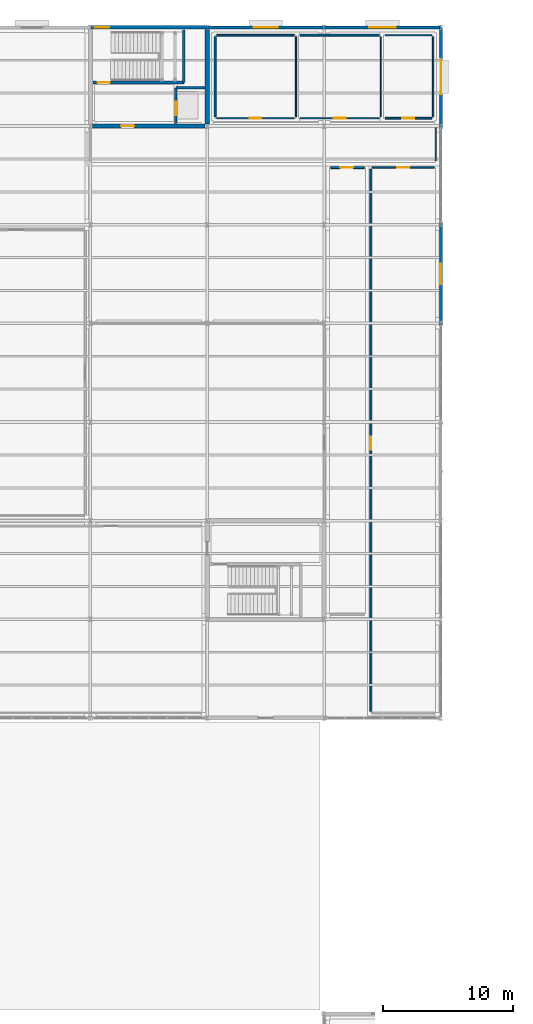
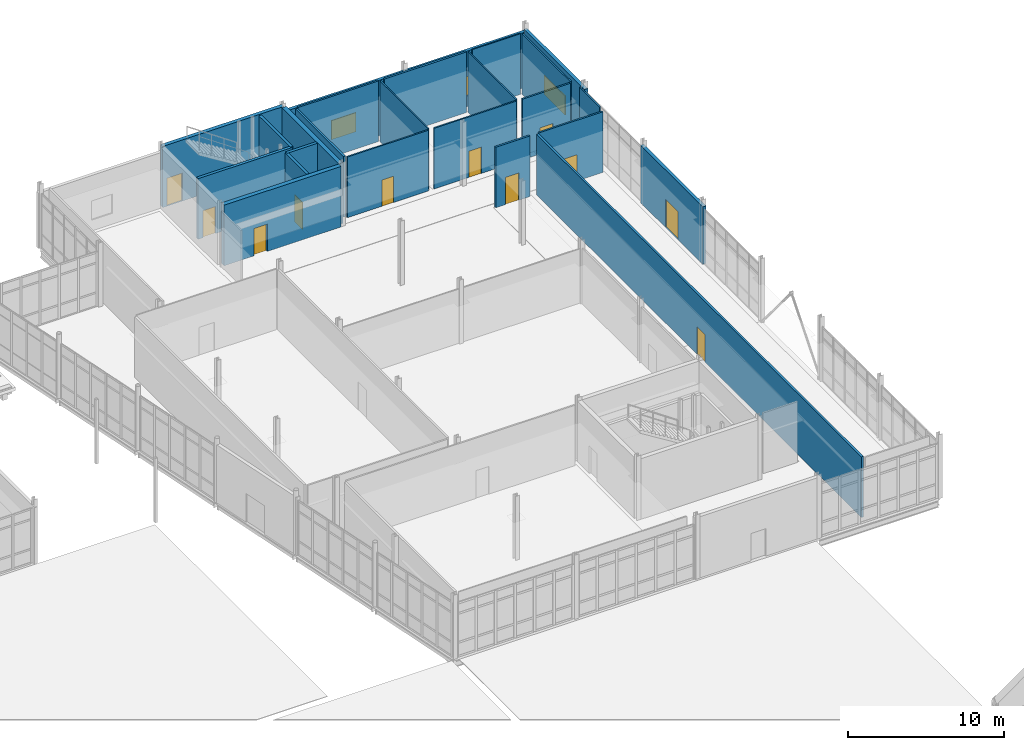
# One storey, part 150 of 161: 25 walls, 11 doors, 3 windows, 14 openings.
"""IFC4 building model written with IfcOpenShell, lengths in metres."""

import ifcopenshell
import ifcopenshell.guid

model = None  # the IFC model being written
_history = None  # IfcOwnerHistory: only IFC2X3 demands one
_inside = {}  # id of a spatial element -> (the spatial element, [elements in it])
_under = {}  # id of a project, library or spatial element -> (it, [spatial elements below it])
_declared = {}  # id of a project -> (the project, [libraries it declares])
_typed = {}  # id of a type object -> (the type object, [elements of that type])
_made_of = {}  # id of a material, layer set ... -> (it, [elements and type objects made of it])


def new_model(schema):
    """Start an empty IFC model of exactly this schema.

    Asked for "IFC4X3", IfcOpenShell would pick the latest addendum, in which some entities
    have other attributes; the version numbers below select the first issue.
    IFC2X3 requires an IfcOwnerHistory on every rooted entity: one is made here for all.
    """
    global model, _history
    if schema == "IFC4X3":
        model = ifcopenshell.file(schema_version=(4, 3, 0, 0))
    else:
        model = ifcopenshell.file(schema=schema)
    _inside.clear()
    _under.clear()
    _declared.clear()
    _typed.clear()
    _made_of.clear()
    _history = None
    if model.schema == "IFC2X3":
        org = make("IfcOrganization", Name="unknown")
        user = make(
            "IfcPersonAndOrganization",
            ThePerson=make("IfcPerson", FamilyName="unknown"),
            TheOrganization=org,
        )
        app = make(
            "IfcApplication",
            ApplicationDeveloper=org,
            Version="unknown",
            ApplicationFullName="unknown",
            ApplicationIdentifier="unknown",
        )
        _history = make(
            "IfcOwnerHistory",
            OwningUser=user,
            OwningApplication=app,
            ChangeAction="ADDED",
            CreationDate=0,
        )
    return model


def make(cls, **values):
    """One entity of the class cls with the attributes given. An attribute that is None is left unset."""
    return model.create_entity(
        cls, **{name: value for name, value in values.items() if value is not None}
    )


def rooted(cls, **values):
    """An entity with a GlobalId (a new one), such as an element, a storey or a relation."""
    return make(cls, GlobalId=ifcopenshell.guid.new(), OwnerHistory=_history, **values)


def si_unit(unit_type, name, prefix=None):
    """IfcSIUnit, for example si_unit("LENGTHUNIT", "METRE", prefix="MILLI")."""
    return make("IfcSIUnit", UnitType=unit_type, Prefix=prefix, Name=name)


def assignment(units):
    """IfcUnitAssignment: the units of a project."""
    return None if units is None else make("IfcUnitAssignment", Units=units)


def point(xyz):
    """IfcCartesianPoint."""
    return None if xyz is None else make("IfcCartesianPoint", Coordinates=xyz)


def direction(xyz):
    """IfcDirection."""
    return None if xyz is None else make("IfcDirection", DirectionRatios=xyz)


def frame(location, z_axis=None, x_axis=None):
    """IfcAxis2Placement3D, a coordinate frame: its origin and axes. An axis left out is left unset."""
    return make(
        "IfcAxis2Placement3D",
        Location=point(location),
        Axis=direction(z_axis),
        RefDirection=direction(x_axis),
    )


def frame_2d(location, x_axis=None):
    """IfcAxis2Placement2D, a coordinate frame in the plane: its origin and x axis."""
    return make(
        "IfcAxis2Placement2D", Location=point(location), RefDirection=direction(x_axis)
    )


def origin():
    """The frame at (0, 0, 0) with its axes left unset."""
    return frame((0.0, 0.0, 0.0))


def place(relative_to, where):
    """IfcLocalPlacement: puts the frame where relative to a parent placement (None: the world)."""
    return make(
        "IfcLocalPlacement", PlacementRelTo=relative_to, RelativePlacement=where
    )


def context(
    kind, dimensions, precision=None, world=None, true_north=None, identifier=None
):
    """IfcGeometricRepresentationContext, for example the 3D "Model" context."""
    return make(
        "IfcGeometricRepresentationContext",
        ContextIdentifier=identifier,
        ContextType=kind,
        CoordinateSpaceDimension=dimensions,
        Precision=precision,
        WorldCoordinateSystem=world,
        TrueNorth=true_north,
    )


def subcontext(parent, identifier, kind, view, scale=None):
    """IfcGeometricRepresentationSubContext, for example "Body" below "Model"."""
    return make(
        "IfcGeometricRepresentationSubContext",
        ContextIdentifier=identifier,
        ContextType=kind,
        ParentContext=parent,
        TargetScale=scale,
        TargetView=view,
    )


def project(units=None, contexts=None):
    """IfcProject with its units and contexts."""
    return rooted(
        "IfcProject",
        Name="project",
        RepresentationContexts=contexts,
        UnitsInContext=assignment(units),
    )


def spatial(cls, under=None, at=None, **own):
    """A site, building, storey or space (cls), placed at a placement, below another one or the project."""
    s = rooted(cls, ObjectPlacement=at, **own)
    if under is not None:
        _under.setdefault(under.id(), (under, []))[1].append(s)
    return s


def profile(cls, at=None, kind="AREA", **sizes):
    """A parametric profile (cls). Its sizes go by their IFC names, for example OverallWidth=200.0."""
    return make(cls, ProfileType=kind, Position=at, **sizes)


def rectangle(**sizes):
    """IfcRectangleProfileDef."""
    return profile("IfcRectangleProfileDef", **sizes)


def extrude(swept, where, along, depth):
    """IfcExtrudedAreaSolid: the profile swept, set in the frame where, extruded along a direction by depth."""
    return make(
        "IfcExtrudedAreaSolid",
        SweptArea=swept,
        Position=where,
        ExtrudedDirection=direction(along),
        Depth=depth,
    )


def shape(context_of_items, identifier, shape_type, items):
    """IfcShapeRepresentation: the items that make up one representation, for example the "Body"."""
    return make(
        "IfcShapeRepresentation",
        ContextOfItems=context_of_items,
        RepresentationIdentifier=identifier,
        RepresentationType=shape_type,
        Items=items,
    )


def material(Name=None, Category=None):
    """IfcMaterial."""
    return make("IfcMaterial", Name=Name, Category=Category)


def layer(
    of_material, thickness, ventilated=None, Name=None, Category=None, Priority=None
):
    """IfcMaterialLayer: one layer of a wall or slab, of a material (None: an air gap)."""
    return make(
        "IfcMaterialLayer",
        Material=of_material,
        LayerThickness=thickness,
        IsVentilated=ventilated,
        Name=Name,
        Category=Category,
        Priority=Priority,
    )


def layer_set(layers, Name=None):
    """IfcMaterialLayerSet."""
    return make("IfcMaterialLayerSet", MaterialLayers=layers, LayerSetName=Name)


def made_of(thing, what):
    """Note that an element or type object is made of a material, layer set ...; save() writes the relation."""
    if what is not None:
        _made_of.setdefault(what.id(), (what, []))[1].append(thing)
    return thing


def type_object(cls, material=None, **own):
    """A type object (cls), such as IfcWallType, which elements share."""
    return made_of(rooted(cls, **own), material)


def element(
    cls,
    number,
    at=None,
    inside=None,
    cuts=None,
    type_object=None,
    material=None,
    context=None,
    identifier="Body",
    shape_type=None,
    held_by="IfcProductDefinitionShape",
    body=None,
    shapes=None,
    **own,
):
    """One element of the class cls, such as IfcWall. Its Tag is "e" and its number.

    at: its placement. inside: the storey or other place that contains it. cuts: it is an
    opening in that element (IfcRelVoidsElement). A single representation is given by context,
    identifier, shape_type and body (its items); several are given by shapes. held_by: the class
    of the entity that holds the representations. save() writes the other relations.
    """
    e = rooted(cls, Tag="e%d" % number, ObjectPlacement=at, **own)
    if body is not None:
        shapes = [shape(context, identifier, shape_type, body)]
    if shapes is not None:
        e.Representation = make(held_by, Representations=shapes)
    if inside is not None:
        _inside.setdefault(inside.id(), (inside, []))[1].append(e)
    if cuts is not None:
        rooted(
            "IfcRelVoidsElement", RelatingBuildingElement=cuts, RelatedOpeningElement=e
        )
    if type_object is not None:
        _typed.setdefault(type_object.id(), (type_object, []))[1].append(e)
    return made_of(e, material)


def fill(opening, filler):
    """IfcRelFillsElement: the door or window that sits in an opening."""
    return rooted(
        "IfcRelFillsElement",
        RelatingOpeningElement=opening,
        RelatedBuildingElement=filler,
    )


def aggregate(whole, parts):
    """IfcRelAggregates: a whole, such as a stair, and the parts it consists of."""
    return rooted("IfcRelAggregates", RelatingObject=whole, RelatedObjects=parts)


def save(model, path):
    """Write the relations noted so far, then the file.

    IfcRelAggregates (storeys below a building ...), IfcRelContainedInSpatialStructure (elements
    in a storey), IfcRelDefinesByType, IfcRelAssociatesMaterial and IfcRelDeclares: one each for
    every whole, place, type object, material and project.
    """
    for whole, parts in _under.values():
        aggregate(whole, parts)
    for where, things in _inside.values():
        rooted(
            "IfcRelContainedInSpatialStructure",
            RelatedElements=things,
            RelatingStructure=where,
        )
    for kind, things in _typed.values():
        rooted("IfcRelDefinesByType", RelatedObjects=things, RelatingType=kind)
    for what, things in _made_of.values():
        rooted("IfcRelAssociatesMaterial", RelatedObjects=things, RelatingMaterial=what)
    for by, libraries in _declared.values():
        rooted("IfcRelDeclares", RelatingContext=by, RelatedDefinitions=libraries)
    model.write(path)


model = new_model("IFC4")

# Units and contexts
model_context = context("Model", 3, precision=1e-05, world=origin(), true_north=direction((0.0, 1.0)))
body_context = subcontext(model_context, "Body", "Model", "MODEL_VIEW")
ifc_project = project(units=[si_unit("LENGTHUNIT", "METRE"), si_unit("AREAUNIT", "SQUARE_METRE"), si_unit("VOLUMEUNIT", "CUBIC_METRE"), si_unit("PLANEANGLEUNIT", "RADIAN"), si_unit("MASSUNIT", "GRAM", prefix="KILO")], contexts=[model_context])

# Site, building, storey
site_placement = place(None, origin())
site = spatial("IfcSite", under=ifc_project, at=site_placement, CompositionType="ELEMENT")
building_placement = place(site_placement, origin())
building = spatial("IfcBuilding", under=site, at=building_placement, Name="Caisbarro Railhouse Central Library", CompositionType="ELEMENT")
storey_placement = place(building_placement, origin())
storey = spatial("IfcBuildingStorey", under=building, at=storey_placement, Name="L00", CompositionType="ELEMENT", Elevation=0.0)

# Wall, opening, door
ifc_material_1 = material(Name="Concrete C40", Category="concrete")
ifc_layer_1 = layer(ifc_material_1, 0.320068359375, Name="Concrete C40")
ifc_layer_set_1 = layer_set([ifc_layer_1], Name="Concrete C40")
wall_type_1 = type_object("IfcWallType", Name="WAL-CW32", PredefinedType="SHEAR", material=ifc_layer_set_1)
wall_1_placement = place(storey_placement, frame((126.159912109375, 106.39990234375, 0.0), z_axis=(0.0, 0.0, 1.0), x_axis=(1.0, 0.0, 0.0)))
wall_1 = element("IfcWall", 1, at=wall_1_placement, inside=storey, type_object=wall_type_1, Name="CW32 RC core shear wall L00 #40", PredefinedType="SHEAR", context=body_context, shape_type="SweptSolid", body=[
    extrude(rectangle(XDim=8.68017578125, YDim=0.320068359375, at=frame_2d((4.340087890625, 0.0))), origin(), (0.0, 0.0, 1.0), 4.760009765625),
])
opening_1_placement = place(wall_1_placement, frame((2.199951171875, 0.0, 0.0)))
opening_1 = element("IfcOpeningElement", 2, at=opening_1_placement, cuts=wall_1, Name="Opening FD05", PredefinedType="OPENING", context=body_context, shape_type="SweptSolid", body=[
    extrude(rectangle(XDim=1.0, YDim=2.14990234375, at=frame_2d((0.5, 1.074951171875))), frame((0.0, 0.169921875, 0.0), z_axis=(0.0, -1.0, 0.0), x_axis=(1.0, 0.0, 0.0)), (0.0, 0.0, 1.0), 0.340087890625),
])
ifc_material_2 = material(Name="Fire-rated painted galvanised steel", Category="steel")
door_type_1 = type_object("IfcDoorType", Name="DR-FD05", OperationType="NOTDEFINED", PredefinedType="DOOR", material=ifc_material_2)
door_1_placement = place(opening_1_placement, origin())
door_1 = element("IfcDoor", 3, at=door_1_placement, inside=storey, type_object=door_type_1, Name="Core K3 Lobby Door FD05 L00-087", OperationType="SINGLE_SWING_RIGHT", OverallHeight=2.14990234375, OverallWidth=1.0, PredefinedType="DOOR", context=body_context, shape_type="SweptSolid", body=[
    extrude(rectangle(XDim=1.0, YDim=2.14990234375, at=frame_2d((0.5, 1.074951171875))), frame((0.0, 0.02490234375, 0.0), z_axis=(0.0, -1.0, 0.0), x_axis=(1.0, 0.0, 0.0)), (0.0, 0.0, 1.0), 0.050048828125),
])
fill(opening_1, door_1)

# Wall
wall_2_placement = place(storey_placement, frame((135.0, 106.56005859375, 0.0), z_axis=(0.0, 0.0, 1.0), x_axis=(0.0, 1.0, 0.0)))
element("IfcWall", 4, at=wall_2_placement, inside=storey, type_object=wall_type_1, Name="CW32 RC core shear wall L00 #42", PredefinedType="SHEAR", context=body_context, shape_type="SweptSolid", body=[
    extrude(rectangle(XDim=7.280029296875, YDim=0.320068359375, at=frame_2d((3.64013671875, 0.0))), origin(), (0.0, 0.0, 1.0), 4.760009765625),
])

# Wall, opening, window
ifc_material_3 = material(Name="Concrete C35 insulated architectural precast", Category="concrete")
ifc_layer_2 = layer(ifc_material_3, 0.239990234375, Name="Concrete C35 insulated architectural precast")
ifc_layer_set_2 = layer_set([ifc_layer_2], Name="Concrete C35 insulated architectural precast")
wall_type_2 = type_object("IfcWallType", Name="WAL-EW24", PredefinedType="STANDARD", material=ifc_layer_set_2)
wall_3_placement = place(storey_placement, frame((135.0, 114.0, 0.0), z_axis=(0.0, 0.0, 1.0), x_axis=(1.0, 0.0, 0.0)))
wall_3 = element("IfcWall", 5, at=wall_3_placement, inside=storey, type_object=wall_type_2, Name="EW24 exterior wall L00 #204", PredefinedType="STANDARD", context=body_context, shape_type="SweptSolid", body=[
    extrude(rectangle(XDim=9.0, YDim=0.239990234375, at=frame_2d((4.5, 0.0))), origin(), (0.0, 0.0, 1.0), 4.35107421875),
])
opening_2_placement = place(wall_3_placement, frame((3.574951171875, 0.0, 0.85009765625)))
opening_2 = element("IfcOpeningElement", 6, at=opening_2_placement, cuts=wall_3, Name="Opening W23", PredefinedType="OPENING", context=body_context, shape_type="SweptSolid", body=[
    extrude(rectangle(XDim=1.85009765625, YDim=1.5, at=frame_2d((0.925048828125, 0.75))), frame((0.0, 0.1298828125, 0.0), z_axis=(0.0, -1.0, 0.0), x_axis=(1.0, 0.0, 0.0)), (0.0, 0.0, 1.0), 0.260009765625),
])
ifc_material_4 = material(Name="Double low-e laminated solar-control glass", Category="glass")
window_type_1 = type_object("IfcWindowType", Name="WIN-W23", PartitioningType="SINGLE_PANEL", PredefinedType="WINDOW", material=ifc_material_4)
window_1_placement = place(opening_2_placement, origin())
window_1 = element("IfcWindow", 7, at=window_1_placement, inside=storey, type_object=window_type_1, Name="W23 window L00-065", OverallHeight=1.5, OverallWidth=1.85009765625, PartitioningType="SINGLE_PANEL", PredefinedType="WINDOW", context=body_context, shape_type="SweptSolid", body=[
    extrude(rectangle(XDim=1.85009765625, YDim=1.5, at=frame_2d((0.925048828125, 0.75))), frame((0.0, 0.030029296875, 0.0), z_axis=(0.0, -1.0, 0.0), x_axis=(1.0, 0.0, 0.0)), (0.0, 0.0, 1.0), 0.06005859375),
])
fill(opening_2, window_1)

wall_4_placement = place(storey_placement, frame((144.0, 114.0, 0.0), z_axis=(0.0, 0.0, 1.0), x_axis=(1.0, 0.0, 0.0)))
wall_4 = element("IfcWall", 8, at=wall_4_placement, inside=storey, type_object=wall_type_2, Name="EW24 exterior wall L00 #205", PredefinedType="STANDARD", context=body_context, shape_type="SweptSolid", body=[
    extrude(rectangle(XDim=9.0, YDim=0.239990234375, at=frame_2d((4.5, 0.0))), origin(), (0.0, 0.0, 1.0), 4.35107421875),
])
opening_3_placement = place(wall_4_placement, frame((3.47509765625, 0.0, 0.85009765625)))
opening_3 = element("IfcOpeningElement", 9, at=opening_3_placement, cuts=wall_4, Name="Opening W24", PredefinedType="OPENING", context=body_context, shape_type="SweptSolid", body=[
    extrude(rectangle(XDim=2.050048828125, YDim=1.5, at=frame_2d((1.02490234375, 0.75))), frame((0.0, 0.1298828125, 0.0), z_axis=(0.0, -1.0, 0.0), x_axis=(1.0, 0.0, 0.0)), (0.0, 0.0, 1.0), 0.260009765625),
])
window_type_2 = type_object("IfcWindowType", Name="WIN-W24", PartitioningType="SINGLE_PANEL", PredefinedType="WINDOW", material=ifc_material_4)
window_2_placement = place(opening_3_placement, origin())
window_2 = element("IfcWindow", 10, at=window_2_placement, inside=storey, type_object=window_type_2, Name="W24 window L00-066", OverallHeight=1.5, OverallWidth=2.050048828125, PartitioningType="SINGLE_PANEL", PredefinedType="WINDOW", context=body_context, shape_type="SweptSolid", body=[
    extrude(rectangle(XDim=2.050048828125, YDim=1.5, at=frame_2d((1.02490234375, 0.75))), frame((0.0, 0.030029296875, 0.0), z_axis=(0.0, -1.0, 0.0), x_axis=(1.0, 0.0, 0.0)), (0.0, 0.0, 1.0), 0.06005859375),
])
fill(opening_3, window_2)

# Wall, opening, door
wall_5_placement = place(storey_placement, frame((153.0, 90.989990234375, 0.0), z_axis=(0.0, 0.0, 1.0), x_axis=(0.0, 1.0, 0.0)))
wall_5 = element("IfcWall", 11, at=wall_5_placement, inside=storey, type_object=wall_type_2, Name="EW24 exterior wall L00 #206", PredefinedType="STANDARD", context=body_context, shape_type="SweptSolid", body=[
    extrude(rectangle(XDim=8.02001953125, YDim=0.239990234375, at=frame_2d((4.010009765625, 0.0))), origin(), (0.0, 0.0, 1.0), 4.508056640625),
])
opening_4_placement = place(wall_5_placement, frame((3.2099609375, 0.0, 0.0)))
opening_4 = element("IfcOpeningElement", 12, at=opening_4_placement, cuts=wall_5, Name="Opening ED03", PredefinedType="OPENING", context=body_context, shape_type="SweptSolid", body=[
    extrude(rectangle(XDim=1.60009765625, YDim=2.199951171875, at=frame_2d((0.800048828125, 1.10009765625))), frame((0.0, 0.1298828125, 0.0), z_axis=(0.0, -1.0, 0.0), x_axis=(1.0, 0.0, 0.0)), (0.0, 0.0, 1.0), 0.260009765625),
])
ifc_material_5 = material(Name="Thermally broken anodised aluminium and safety glass", Category="aluminium")
door_type_2 = type_object("IfcDoorType", Name="DR-ED03", OperationType="NOTDEFINED", PredefinedType="DOOR", material=ifc_material_5)
door_2_placement = place(opening_4_placement, frame((1.60009765625, 0.0, 0.0), z_axis=(0.0, 0.0, 1.0), x_axis=(-1.0, 0.0, 0.0)))
door_2 = element("IfcDoor", 13, at=door_2_placement, inside=storey, type_object=door_type_2, Name="Exit Door ED03 L00-38", OperationType="SINGLE_SWING_RIGHT", OverallHeight=2.199951171875, OverallWidth=1.60009765625, PredefinedType="DOOR", context=body_context, shape_type="SweptSolid", body=[
    extrude(rectangle(XDim=1.60009765625, YDim=2.199951171875, at=frame_2d((0.800048828125, 1.10009765625))), frame((0.0, 0.02490234375, 0.0), z_axis=(0.0, -1.0, 0.0), x_axis=(1.0, 0.0, 0.0)), (0.0, 0.0, 1.0), 0.050048828125),
])
fill(opening_4, door_2)

# Wall, opening, window
wall_6_placement = place(storey_placement, frame((153.0, 106.18994140625, 0.0), z_axis=(0.0, 0.0, 1.0), x_axis=(0.0, 1.0, 0.0)))
wall_6 = element("IfcWall", 14, at=wall_6_placement, inside=storey, type_object=wall_type_2, Name="EW24 exterior wall L00 #207", PredefinedType="STANDARD", context=body_context, shape_type="SweptSolid", body=[
    extrude(rectangle(XDim=7.81005859375, YDim=0.239990234375, at=frame_2d((3.905029296875, 0.0))), origin(), (0.0, 0.0, 1.0), 4.508056640625),
])
opening_5_placement = place(wall_6_placement, frame((2.659912109375, 0.0, 0.85009765625)))
opening_5 = element("IfcOpeningElement", 15, at=opening_5_placement, cuts=wall_6, Name="Opening W26", PredefinedType="OPENING", context=body_context, shape_type="SweptSolid", body=[
    extrude(rectangle(XDim=2.699951171875, YDim=1.5, at=frame_2d((1.35009765625, 0.75))), frame((0.0, 0.1298828125, 0.0), z_axis=(0.0, -1.0, 0.0), x_axis=(1.0, 0.0, 0.0)), (0.0, 0.0, 1.0), 0.260009765625),
])
window_type_3 = type_object("IfcWindowType", Name="WIN-W26", PartitioningType="SINGLE_PANEL", PredefinedType="WINDOW", material=ifc_material_4)
window_3_placement = place(opening_5_placement, origin())
window_3 = element("IfcWindow", 16, at=window_3_placement, inside=storey, type_object=window_type_3, Name="W26 window L00-067", OverallHeight=1.5, OverallWidth=2.699951171875, PartitioningType="SINGLE_PANEL", PredefinedType="WINDOW", context=body_context, shape_type="SweptSolid", body=[
    extrude(rectangle(XDim=2.699951171875, YDim=1.5, at=frame_2d((1.35009765625, 0.75))), frame((0.0, 0.030029296875, 0.0), z_axis=(0.0, -1.0, 0.0), x_axis=(1.0, 0.0, 0.0)), (0.0, 0.0, 1.0), 0.06005859375),
])
fill(opening_5, window_3)

# Wall, opening, door
ifc_layer_3 = layer(ifc_material_1, 0.280029296875, Name="Concrete C40")
ifc_layer_set_3 = layer_set([ifc_layer_3], Name="Concrete C40")
wall_type_3 = type_object("IfcWallType", Name="WAL-EW28", PredefinedType="SOLIDWALL", material=ifc_layer_set_3)
wall_7_placement = place(storey_placement, frame((126.0, 114.0, 0.0), z_axis=(0.0, 0.0, 1.0), x_axis=(1.0, 0.0, 0.0)))
wall_7 = element("IfcWall", 17, at=wall_7_placement, inside=storey, type_object=wall_type_3, Name="EW28 exterior wall L00 #202", PredefinedType="SOLIDWALL", context=body_context, shape_type="SweptSolid", body=[
    extrude(rectangle(XDim=9.0, YDim=0.280029296875, at=frame_2d((4.5, 0.0))), origin(), (0.0, 0.0, 1.0), 4.800048828125),
])
opening_6_placement = place(wall_7_placement, frame((0.320068359375, 0.0, 0.0)))
opening_6 = element("IfcOpeningElement", 18, at=opening_6_placement, cuts=wall_7, Name="Opening ED05", PredefinedType="OPENING", context=body_context, shape_type="SweptSolid", body=[
    extrude(rectangle(XDim=1.14990234375, YDim=2.199951171875, at=frame_2d((0.574951171875, 1.10009765625))), frame((0.0, 0.14990234375, 0.0), z_axis=(0.0, -1.0, 0.0), x_axis=(1.0, 0.0, 0.0)), (0.0, 0.0, 1.0), 0.300048828125),
])
ifc_material_6 = material(Name="Galvanised painted hollow steel", Category="steel")
door_type_3 = type_object("IfcDoorType", Name="DR-ED05", OperationType="NOTDEFINED", PredefinedType="DOOR", material=ifc_material_6)
door_3_placement = place(opening_6_placement, origin())
door_3 = element("IfcDoor", 19, at=door_3_placement, inside=storey, type_object=door_type_3, Name="Exit Door ED05 L00-36", OperationType="SINGLE_SWING_LEFT", OverallHeight=2.199951171875, OverallWidth=1.14990234375, PredefinedType="DOOR", context=body_context, shape_type="SweptSolid", body=[
    extrude(rectangle(XDim=1.14990234375, YDim=2.199951171875, at=frame_2d((0.574951171875, 1.10009765625))), frame((0.0, 0.02490234375, 0.0), z_axis=(0.0, -1.0, 0.0), x_axis=(1.0, 0.0, 0.0)), (0.0, 0.0, 1.0), 0.050048828125),
])
fill(opening_6, door_3)

# Walls
ifc_material_7 = material(Name="Acoustic gypsum board on galvanised steel studs", Category="steel")
ifc_layer_4 = layer(ifc_material_7, 0.090087890625, Name="Acoustic gypsum board on galvanised steel studs")
ifc_layer_set_4 = layer_set([ifc_layer_4], Name="Acoustic gypsum board on galvanised steel studs")
wall_type_4 = type_object("IfcWallType", Name="WAL-IW09", PredefinedType="PARTITIONING", material=ifc_layer_set_4)
for number, where, z_axis, x_axis, name in (
    (20, (141.8359375, 107.1201171875, 0.0), (0.0, 0.0, 1.0), (0.0, 1.0, 0.0), "IW09 partition wall L00 #329"),
    (21, (148.3720703125, 107.1201171875, 0.0), (0.0, 0.0, 1.0), (0.0, 1.0, 0.0), "IW09 partition wall L00 #333"),
):
    element("IfcWall", number, at=place(storey_placement, frame(where, z_axis=z_axis, x_axis=x_axis)), inside=storey, type_object=wall_type_4, Name=name, PredefinedType="PARTITIONING", context=body_context, shape_type="SweptSolid", body=[
        extrude(rectangle(XDim=6.159912109375, YDim=0.090087890625, at=frame_2d((3.080078125, 0.0))), origin(), (0.0, 0.0, 1.0), 4.760009765625),
    ])
wall_8_placement = place(storey_placement, frame((148.69189453125, 113.39990234375, 0.0), z_axis=(0.0, 0.0, 1.0), x_axis=(1.0, 0.0, 0.0)))
element("IfcWall", 22, at=wall_8_placement, inside=storey, type_object=wall_type_4, Name="IW09 partition wall L00 #337", PredefinedType="PARTITIONING", context=body_context, shape_type="SweptSolid", body=[
    extrude(rectangle(XDim=3.588134765625, YDim=0.090087890625, at=frame_2d((1.7939453125, 0.0))), origin(), (0.0, 0.0, 1.0), 4.760009765625),
])
wall_9_placement = place(storey_placement, frame((152.60009765625, 103.719970703125, 0.0), z_axis=(0.0, 0.0, 1.0), x_axis=(0.0, 1.0, 0.0)))
element("IfcWall", 23, at=wall_9_placement, inside=storey, type_object=wall_type_4, Name="IW09 partition wall L00 #365", PredefinedType="PARTITIONING", context=body_context, shape_type="SweptSolid", body=[
    extrude(rectangle(XDim=2.56005859375, YDim=0.090087890625, at=frame_2d((1.280029296875, 0.0))), origin(), (0.0, 0.0, 1.0), 4.760009765625),
])

# Wall, opening, door
ifc_layer_5 = layer(ifc_material_7, 0.110107421875, Name="Acoustic gypsum board on galvanised steel studs")
ifc_layer_set_5 = layer_set([ifc_layer_5], Name="Acoustic gypsum board on galvanised steel studs")
wall_type_5 = type_object("IfcWallType", Name="WAL-IW11", PredefinedType="PARTITIONING", material=ifc_layer_set_5)
wall_10_placement = place(storey_placement, frame((135.719970703125, 107.0, 0.0), z_axis=(0.0, 0.0, 1.0), x_axis=(1.0, 0.0, 0.0)))
wall_10 = element("IfcWall", 24, at=wall_10_placement, inside=storey, type_object=wall_type_5, Name="IW11 partition wall L00 #328", PredefinedType="PARTITIONING", context=body_context, shape_type="SweptSolid", body=[
    extrude(rectangle(XDim=5.99609375, YDim=0.110107421875, at=frame_2d((2.998046875, 0.0))), origin(), (0.0, 0.0, 1.0), 4.760009765625),
])
opening_7_placement = place(wall_10_placement, frame((2.568115234375, 0.0, 0.0)))
opening_7 = element("IfcOpeningElement", 25, at=opening_7_placement, cuts=wall_10, Name="Opening ID01", PredefinedType="OPENING", context=body_context, shape_type="SweptSolid", body=[
    extrude(rectangle(XDim=0.860107421875, YDim=2.06005859375, at=frame_2d((0.43017578125, 1.030029296875))), frame((0.0, 0.06494140625, 0.0), z_axis=(0.0, -1.0, 0.0), x_axis=(1.0, 0.0, 0.0)), (0.0, 0.0, 1.0), 0.130126953125),
])
ifc_material_8 = material(Name="Solid-core tropical hardwood veneer", Category="wood")
door_type_4 = type_object("IfcDoorType", Name="DR-ID01", OperationType="NOTDEFINED", PredefinedType="DOOR", material=ifc_material_8)
door_4_placement = place(opening_7_placement, origin())
door_4 = element("IfcDoor", 26, at=door_4_placement, inside=storey, type_object=door_type_4, Name="Male WC L00-V4 Door ID01 L00-207", OperationType="SINGLE_SWING_LEFT", OverallHeight=2.06005859375, OverallWidth=0.860107421875, PredefinedType="DOOR", context=body_context, shape_type="SweptSolid", body=[
    extrude(rectangle(XDim=0.860107421875, YDim=2.06005859375, at=frame_2d((0.43017578125, 1.030029296875))), frame((0.0, 0.02490234375, 0.0), z_axis=(0.0, -1.0, 0.0), x_axis=(1.0, 0.0, 0.0)), (0.0, 0.0, 1.0), 0.050048828125),
])
fill(opening_7, door_4)

wall_11_placement = place(storey_placement, frame((142.156005859375, 107.0, 0.0), z_axis=(0.0, 0.0, 1.0), x_axis=(1.0, 0.0, 0.0)))
wall_11 = element("IfcWall", 27, at=wall_11_placement, inside=storey, type_object=wall_type_5, Name="IW11 partition wall L00 #332", PredefinedType="PARTITIONING", context=body_context, shape_type="SweptSolid", body=[
    extrude(rectangle(XDim=6.095947265625, YDim=0.110107421875, at=frame_2d((3.0478515625, 0.0))), origin(), (0.0, 0.0, 1.0), 4.760009765625),
])
opening_8_placement = place(wall_11_placement, frame((2.597900390625, 0.0, 0.0)))
opening_8 = element("IfcOpeningElement", 28, at=opening_8_placement, cuts=wall_11, Name="Opening ID02", PredefinedType="OPENING", context=body_context, shape_type="SweptSolid", body=[
    extrude(rectangle(XDim=0.89990234375, YDim=2.06005859375, at=frame_2d((0.449951171875, 1.030029296875))), frame((0.0, 0.06494140625, 0.0), z_axis=(0.0, -1.0, 0.0), x_axis=(1.0, 0.0, 0.0)), (0.0, 0.0, 1.0), 0.130126953125),
])
door_type_5 = type_object("IfcDoorType", Name="DR-ID02", OperationType="NOTDEFINED", PredefinedType="DOOR", material=ifc_material_8)
door_5_placement = place(opening_8_placement, origin())
door_5 = element("IfcDoor", 29, at=door_5_placement, inside=storey, type_object=door_type_5, Name="Female WC L00-V4 Door ID02 L00-208", OperationType="SINGLE_SWING_RIGHT", OverallHeight=2.06005859375, OverallWidth=0.89990234375, PredefinedType="DOOR", context=body_context, shape_type="SweptSolid", body=[
    extrude(rectangle(XDim=0.89990234375, YDim=2.06005859375, at=frame_2d((0.449951171875, 1.030029296875))), frame((0.0, 0.02490234375, 0.0), z_axis=(0.0, -1.0, 0.0), x_axis=(1.0, 0.0, 0.0)), (0.0, 0.0, 1.0), 0.050048828125),
])
fill(opening_8, door_5)

# Walls
wall_12_placement = place(storey_placement, frame((152.39990234375, 107.1201171875, 0.0), z_axis=(0.0, 0.0, 1.0), x_axis=(0.0, 1.0, 0.0)))
element("IfcWall", 30, at=wall_12_placement, inside=storey, type_object=wall_type_5, Name="IW11 partition wall L00 #336", PredefinedType="PARTITIONING", context=body_context, shape_type="SweptSolid", body=[
    extrude(rectangle(XDim=6.159912109375, YDim=0.110107421875, at=frame_2d((3.080078125, 0.0))), origin(), (0.0, 0.0, 1.0), 4.760009765625),
])
ifc_layer_6 = layer(ifc_material_7, 0.1298828125, Name="Acoustic gypsum board on galvanised steel studs")
ifc_layer_set_6 = layer_set([ifc_layer_6], Name="Acoustic gypsum board on galvanised steel studs")
wall_type_6 = type_object("IfcWallType", Name="WAL-IW13", PredefinedType="PARTITIONING", material=ifc_layer_set_6)
wall_13_placement = place(storey_placement, frame((135.719970703125, 113.39990234375, 0.0), z_axis=(0.0, 0.0, 1.0), x_axis=(1.0, 0.0, 0.0)))
element("IfcWall", 31, at=wall_13_placement, inside=storey, type_object=wall_type_6, Name="IW13 partition wall L00 #331", PredefinedType="PARTITIONING", context=body_context, shape_type="SweptSolid", body=[
    extrude(rectangle(XDim=5.99609375, YDim=0.1298828125, at=frame_2d((2.998046875, 0.0))), origin(), (0.0, 0.0, 1.0), 4.760009765625),
])

# Wall, opening, door
wall_14_placement = place(storey_placement, frame((148.69189453125, 107.0, 0.0), z_axis=(0.0, 0.0, 1.0), x_axis=(1.0, 0.0, 0.0)))
wall_14 = element("IfcWall", 32, at=wall_14_placement, inside=storey, type_object=wall_type_6, Name="IW13 partition wall L00 #335", PredefinedType="PARTITIONING", context=body_context, shape_type="SweptSolid", body=[
    extrude(rectangle(XDim=3.588134765625, YDim=0.1298828125, at=frame_2d((1.7939453125, 0.0))), origin(), (0.0, 0.0, 1.0), 4.760009765625),
])
opening_9_placement = place(wall_14_placement, frame((1.323974609375, 0.0, 0.0)))
opening_9 = element("IfcOpeningElement", 33, at=opening_9_placement, cuts=wall_14, Name="Opening ID03", PredefinedType="OPENING", context=body_context, shape_type="SweptSolid", body=[
    extrude(rectangle(XDim=0.93994140625, YDim=2.06005859375, at=frame_2d((0.469970703125, 1.030029296875))), frame((0.0, 0.074951171875, 0.0), z_axis=(0.0, -1.0, 0.0), x_axis=(1.0, 0.0, 0.0)), (0.0, 0.0, 1.0), 0.14990234375),
])
door_type_6 = type_object("IfcDoorType", Name="DR-ID03", OperationType="NOTDEFINED", PredefinedType="DOOR", material=ifc_material_8)
door_6_placement = place(opening_9_placement, origin())
door_6 = element("IfcDoor", 34, at=door_6_placement, inside=storey, type_object=door_type_6, Name="Accessible WC L00-V4 Door ID03 L00-209", OperationType="SINGLE_SWING_LEFT", OverallHeight=2.06005859375, OverallWidth=0.93994140625, PredefinedType="DOOR", context=body_context, shape_type="SweptSolid", body=[
    extrude(rectangle(XDim=0.93994140625, YDim=2.06005859375, at=frame_2d((0.469970703125, 1.030029296875))), frame((0.0, 0.02490234375, 0.0), z_axis=(0.0, -1.0, 0.0), x_axis=(1.0, 0.0, 0.0)), (0.0, 0.0, 1.0), 0.050048828125),
])
fill(opening_9, door_6)

wall_15_placement = place(storey_placement, frame((147.719970703125, 103.199951171875, 0.0), z_axis=(0.0, 0.0, 1.0), x_axis=(1.0, 0.0, 0.0)))
wall_15 = element("IfcWall", 35, at=wall_15_placement, inside=storey, type_object=wall_type_6, Name="IW13 partition wall L00 #339", PredefinedType="PARTITIONING", context=body_context, shape_type="SweptSolid", body=[
    extrude(rectangle(XDim=4.760009765625, YDim=0.1298828125, at=frame_2d((2.3798828125, 0.0))), origin(), (0.0, 0.0, 1.0), 4.760009765625),
])
opening_10_placement = place(wall_15_placement, frame((1.909912109375, 0.0, 0.0)))
opening_10 = element("IfcOpeningElement", 36, at=opening_10_placement, cuts=wall_15, Name="Opening ID03", PredefinedType="OPENING", context=body_context, shape_type="SweptSolid", body=[
    extrude(rectangle(XDim=0.93994140625, YDim=2.06005859375, at=frame_2d((0.469970703125, 1.030029296875))), frame((0.0, 0.074951171875, 0.0), z_axis=(0.0, -1.0, 0.0), x_axis=(1.0, 0.0, 0.0)), (0.0, 0.0, 1.0), 0.14990234375),
])
door_7_placement = place(opening_10_placement, origin())
door_7 = element("IfcDoor", 37, at=door_7_placement, inside=storey, type_object=door_type_6, Name="Atrium North WC Corridor L00 Door ID03 L00-225", OperationType="SINGLE_SWING_LEFT", OverallHeight=2.06005859375, OverallWidth=0.93994140625, PredefinedType="DOOR", context=body_context, shape_type="SweptSolid", body=[
    extrude(rectangle(XDim=0.93994140625, YDim=2.06005859375, at=frame_2d((0.469970703125, 1.030029296875))), frame((0.0, 0.02490234375, 0.0), z_axis=(0.0, -1.0, 0.0), x_axis=(1.0, 0.0, 0.0)), (0.0, 0.0, 1.0), 0.050048828125),
])
fill(opening_10, door_7)

# Walls
ifc_layer_7 = layer(ifc_material_7, 0.14990234375, Name="Acoustic gypsum board on galvanised steel studs")
ifc_layer_set_7 = layer_set([ifc_layer_7], Name="Acoustic gypsum board on galvanised steel studs")
wall_type_7 = type_object("IfcWallType", Name="WAL-IW15", PredefinedType="PARTITIONING", material=ifc_layer_set_7)
wall_16_placement = place(storey_placement, frame((135.60009765625, 107.1201171875, 0.0), z_axis=(0.0, 0.0, 1.0), x_axis=(0.0, 1.0, 0.0)))
element("IfcWall", 38, at=wall_16_placement, inside=storey, type_object=wall_type_7, Name="IW15 partition wall L00 #330", PredefinedType="PARTITIONING", context=body_context, shape_type="SweptSolid", body=[
    extrude(rectangle(XDim=6.159912109375, YDim=0.14990234375, at=frame_2d((3.080078125, 0.0))), origin(), (0.0, 0.0, 1.0), 4.760009765625),
])
wall_17_placement = place(storey_placement, frame((142.156005859375, 113.39990234375, 0.0), z_axis=(0.0, 0.0, 1.0), x_axis=(1.0, 0.0, 0.0)))
element("IfcWall", 39, at=wall_17_placement, inside=storey, type_object=wall_type_7, Name="IW15 partition wall L00 #334", PredefinedType="PARTITIONING", context=body_context, shape_type="SweptSolid", body=[
    extrude(rectangle(XDim=6.095947265625, YDim=0.14990234375, at=frame_2d((3.0478515625, 0.0))), origin(), (0.0, 0.0, 1.0), 4.760009765625),
])

# Wall, opening, door
wall_18_placement = place(storey_placement, frame((147.60009765625, 61.320068359375, 0.0), z_axis=(0.0, 0.0, 1.0), x_axis=(0.0, 1.0, 0.0)))
wall_18 = element("IfcWall", 40, at=wall_18_placement, inside=storey, type_object=wall_type_7, Name="IW15 partition wall L00 #338", PredefinedType="PARTITIONING", context=body_context, shape_type="SweptSolid", body=[
    extrude(rectangle(XDim=41.760009765625, YDim=0.14990234375, at=frame_2d((20.8798828125, 0.0))), origin(), (0.0, 0.0, 1.0), 4.760009765625),
])
opening_11_placement = place(wall_18_placement, frame((20.1298828125, 0.0, 0.0)))
opening_11 = element("IfcOpeningElement", 41, at=opening_11_placement, cuts=wall_18, Name="Opening FD05", PredefinedType="OPENING", context=body_context, shape_type="SweptSolid", body=[
    extrude(rectangle(XDim=1.0, YDim=2.14990234375, at=frame_2d((0.5, 1.074951171875))), frame((0.0, 0.0849609375, 0.0), z_axis=(0.0, -1.0, 0.0), x_axis=(1.0, 0.0, 0.0)), (0.0, 0.0, 1.0), 0.169921875),
])
door_8_placement = place(opening_11_placement, origin())
door_8 = element("IfcDoor", 42, at=door_8_placement, inside=storey, type_object=door_type_1, Name="Quiet Study Carrels East L00 Door FD05 L00-210", OperationType="SINGLE_SWING_RIGHT", OverallHeight=2.14990234375, OverallWidth=1.0, PredefinedType="DOOR", context=body_context, shape_type="SweptSolid", body=[
    extrude(rectangle(XDim=1.0, YDim=2.14990234375, at=frame_2d((0.5, 1.074951171875))), frame((0.0, 0.02490234375, 0.0), z_axis=(0.0, -1.0, 0.0), x_axis=(1.0, 0.0, 0.0)), (0.0, 0.0, 1.0), 0.050048828125),
])
fill(opening_11, door_8)

wall_19_placement = place(storey_placement, frame((144.52001953125, 103.199951171875, 0.0), z_axis=(0.0, 0.0, 1.0), x_axis=(1.0, 0.0, 0.0)))
wall_19 = element("IfcWall", 43, at=wall_19_placement, inside=storey, type_object=wall_type_7, Name="IW15 partition wall L00 #362", PredefinedType="PARTITIONING", context=body_context, shape_type="SweptSolid", body=[
    extrude(rectangle(XDim=2.56005859375, YDim=0.14990234375, at=frame_2d((1.280029296875, 0.0))), origin(), (0.0, 0.0, 1.0), 4.760009765625),
])
opening_12_placement = place(wall_19_placement, frame((0.72998046875, 0.0, 0.0)))
opening_12 = element("IfcOpeningElement", 44, at=opening_12_placement, cuts=wall_19, Name="Opening FD05", PredefinedType="OPENING", context=body_context, shape_type="SweptSolid", body=[
    extrude(rectangle(XDim=1.0, YDim=2.14990234375, at=frame_2d((0.5, 1.074951171875))), frame((0.0, 0.0849609375, 0.0), z_axis=(0.0, -1.0, 0.0), x_axis=(1.0, 0.0, 0.0)), (0.0, 0.0, 1.0), 0.169921875),
])
door_9_placement = place(opening_12_placement, origin())
door_9 = element("IfcDoor", 45, at=door_9_placement, inside=storey, type_object=door_type_1, Name="Atrium East Corridor L00 Door FD05 L00-224", OperationType="SINGLE_SWING_RIGHT", OverallHeight=2.14990234375, OverallWidth=1.0, PredefinedType="DOOR", context=body_context, shape_type="SweptSolid", body=[
    extrude(rectangle(XDim=1.0, YDim=2.14990234375, at=frame_2d((0.5, 1.074951171875))), frame((0.0, 0.02490234375, 0.0), z_axis=(0.0, -1.0, 0.0), x_axis=(1.0, 0.0, 0.0)), (0.0, 0.0, 1.0), 0.050048828125),
])
fill(opening_12, door_9)

ifc_layer_8 = layer(ifc_material_1, 0.2099609375, Name="Concrete C40")
ifc_layer_set_8 = layer_set([ifc_layer_8], Name="Concrete C40")
wall_type_8 = type_object("IfcWallType", Name="WAL-SW21", PredefinedType="SOLIDWALL", material=ifc_layer_set_8)
wall_20_placement = place(storey_placement, frame((126.199951171875, 109.75, 0.0), z_axis=(0.0, 0.0, 1.0), x_axis=(1.0, 0.0, 0.0)))
wall_20 = element("IfcWall", 46, at=wall_20_placement, inside=storey, type_object=wall_type_8, Name="SW21 core shaft wall L00 #99", PredefinedType="SOLIDWALL", context=body_context, shape_type="SweptSolid", body=[
    extrude(rectangle(XDim=7.0, YDim=0.2099609375, at=frame_2d((3.5, 0.0))), origin(), (0.0, 0.0, 1.0), 4.760009765625),
])
opening_13_placement = place(wall_20_placement, frame((0.35009765625, 0.0, 0.0)))
opening_13 = element("IfcOpeningElement", 47, at=opening_13_placement, cuts=wall_20, Name="Opening FD01", PredefinedType="OPENING", context=body_context, shape_type="SweptSolid", body=[
    extrude(rectangle(XDim=0.949951171875, YDim=2.1201171875, at=frame_2d((0.47509765625, 1.06005859375))), frame((0.0, 0.114990234375, 0.0), z_axis=(0.0, -1.0, 0.0), x_axis=(1.0, 0.0, 0.0)), (0.0, 0.0, 1.0), 0.22998046875),
])
door_type_7 = type_object("IfcDoorType", Name="DR-FD01", OperationType="NOTDEFINED", PredefinedType="DOOR", material=ifc_material_2)
door_10_placement = place(opening_13_placement, origin())
door_10 = element("IfcDoor", 48, at=door_10_placement, inside=storey, type_object=door_type_7, Name="Stair ST-03 Fire Door FD01 L00-085", OperationType="SINGLE_SWING_LEFT", OverallHeight=2.1201171875, OverallWidth=0.949951171875, PredefinedType="DOOR", context=body_context, shape_type="SweptSolid", body=[
    extrude(rectangle(XDim=0.949951171875, YDim=2.1201171875, at=frame_2d((0.47509765625, 1.06005859375))), frame((0.0, 0.02490234375, 0.0), z_axis=(0.0, -1.0, 0.0), x_axis=(1.0, 0.0, 0.0)), (0.0, 0.0, 1.0), 0.050048828125),
])
fill(opening_13, door_10)

# Wall
wall_21_placement = place(storey_placement, frame((133.199951171875, 109.75, 0.0), z_axis=(0.0, 0.0, 1.0), x_axis=(0.0, 1.0, 0.0)))
element("IfcWall", 49, at=wall_21_placement, inside=storey, type_object=wall_type_8, Name="SW21 core shaft wall L00 #100", PredefinedType="SOLIDWALL", context=body_context, shape_type="SweptSolid", body=[
    extrude(rectangle(XDim=4.050048828125, YDim=0.2099609375, at=frame_2d((2.02490234375, 0.0))), origin(), (0.0, 0.0, 1.0), 4.760009765625),
])

# Wall, opening, door
wall_22_placement = place(storey_placement, frame((132.580078125, 106.60009765625, 0.0), z_axis=(0.0, 0.0, 1.0), x_axis=(0.0, 1.0, 0.0)))
wall_22 = element("IfcWall", 50, at=wall_22_placement, inside=storey, type_object=wall_type_8, Name="SW21 core shaft wall L00 #101", PredefinedType="SOLIDWALL", context=body_context, shape_type="SweptSolid", body=[
    extrude(rectangle(XDim=2.75, YDim=0.2099609375, at=frame_2d((1.375, 0.0))), origin(), (0.0, 0.0, 1.0), 4.760009765625),
])
opening_14_placement = place(wall_22_placement, frame((0.64990234375, 0.0, 0.0)))
opening_14 = element("IfcOpeningElement", 51, at=opening_14_placement, cuts=wall_22, Name="Opening LD02", PredefinedType="OPENING", context=body_context, shape_type="SweptSolid", body=[
    extrude(rectangle(XDim=1.0400390625, YDim=2.10009765625, at=frame_2d((0.52001953125, 1.050048828125))), frame((0.0, 0.114990234375, 0.0), z_axis=(0.0, -1.0, 0.0), x_axis=(1.0, 0.0, 0.0)), (0.0, 0.0, 1.0), 0.22998046875),
])
ifc_material_9 = material(Name="Brushed stainless steel elevator cab", Category="steel")
door_type_8 = type_object("IfcDoorType", Name="DR-LD02", OperationType="NOTDEFINED", PredefinedType="DOOR", material=ifc_material_9)
door_11_placement = place(opening_14_placement, origin())
door_11 = element("IfcDoor", 52, at=door_11_placement, inside=storey, type_object=door_type_8, Name="Lift PL-02 Landing Door LD02 L00-086", OperationType="SLIDING_TO_LEFT", OverallHeight=2.10009765625, OverallWidth=1.0400390625, PredefinedType="DOOR", context=body_context, shape_type="SweptSolid", body=[
    extrude(rectangle(XDim=1.0400390625, YDim=2.10009765625, at=frame_2d((0.52001953125, 1.050048828125))), frame((0.0, 0.02490234375, 0.0), z_axis=(0.0, -1.0, 0.0), x_axis=(1.0, 0.0, 0.0)), (0.0, 0.0, 1.0), 0.050048828125),
])
fill(opening_14, door_11)

# Wall
wall_23_placement = place(storey_placement, frame((132.580078125, 109.35009765625, 0.0), z_axis=(0.0, 0.0, 1.0), x_axis=(1.0, 0.0, 0.0)))
element("IfcWall", 53, at=wall_23_placement, inside=storey, type_object=wall_type_8, Name="SW21 core shaft wall L00 #102", PredefinedType="SOLIDWALL", context=body_context, shape_type="SweptSolid", body=[
    extrude(rectangle(XDim=2.239990234375, YDim=0.2099609375, at=frame_2d((1.1201171875, 0.0))), origin(), (0.0, 0.0, 1.0), 4.760009765625),
])

save(model, "model.ifc")
